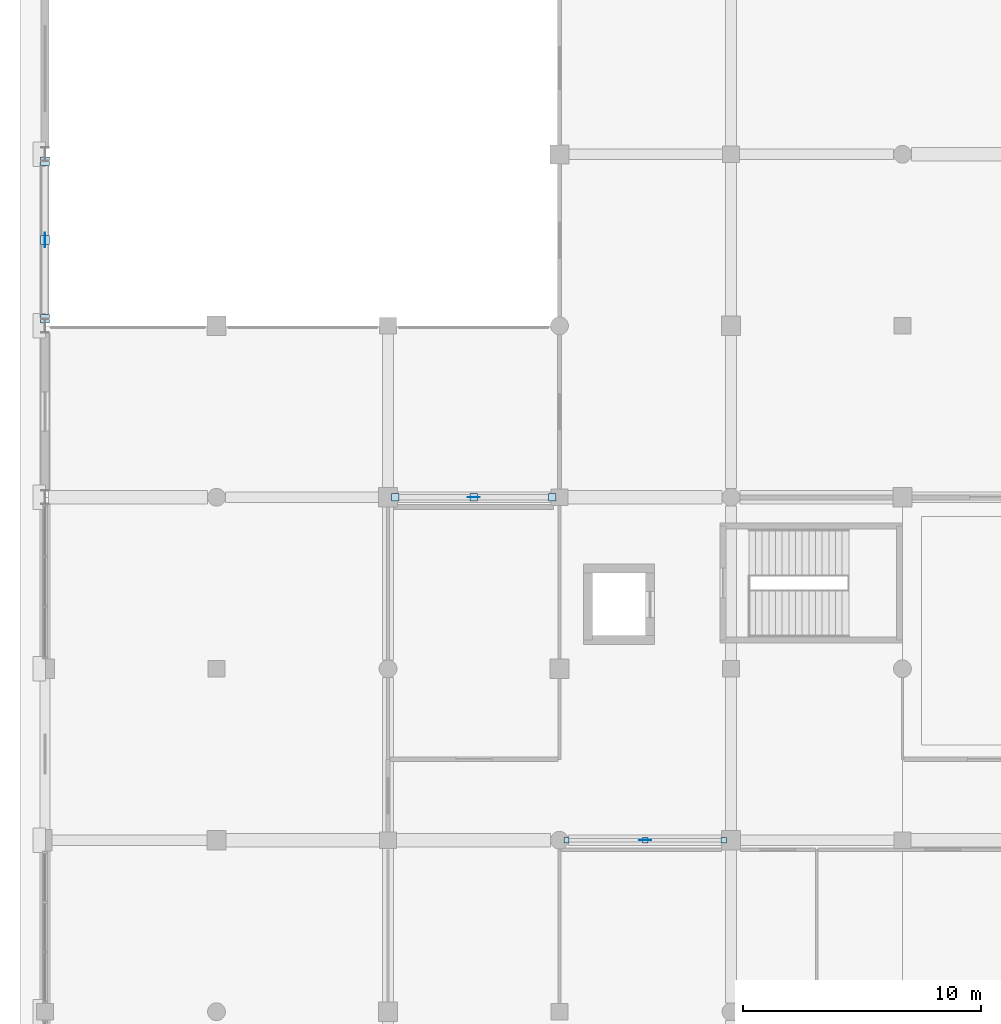
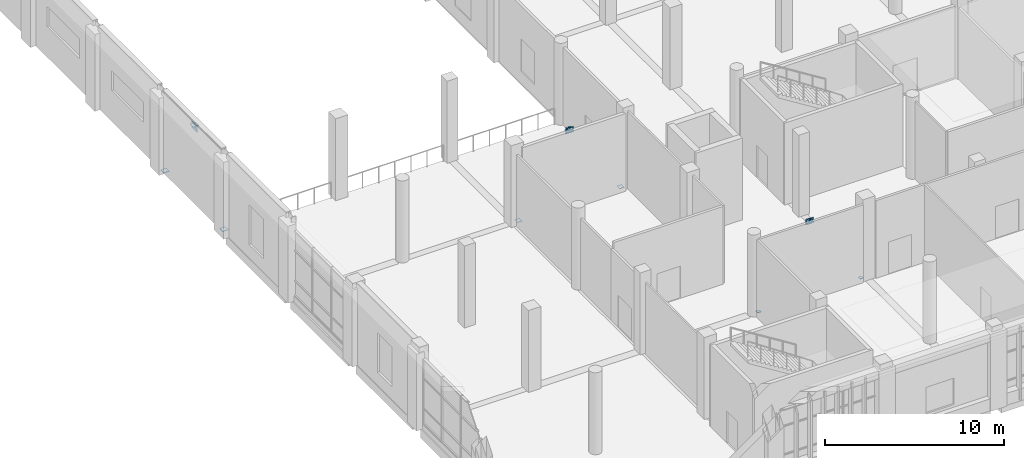
# One storey, part 44 of 80: 12 plates.
"""IFC4 building model written with IfcOpenShell, lengths in metres."""

import ifcopenshell
import ifcopenshell.guid

model = None  # the IFC model being written
_history = None  # IfcOwnerHistory: only IFC2X3 demands one
_inside = {}  # id of a spatial element -> (the spatial element, [elements in it])
_under = {}  # id of a project, library or spatial element -> (it, [spatial elements below it])
_declared = {}  # id of a project -> (the project, [libraries it declares])
_typed = {}  # id of a type object -> (the type object, [elements of that type])
_made_of = {}  # id of a material, layer set ... -> (it, [elements and type objects made of it])


def new_model(schema):
    """Start an empty IFC model of exactly this schema.

    Asked for "IFC4X3", IfcOpenShell would pick the latest addendum, in which some entities
    have other attributes; the version numbers below select the first issue.
    IFC2X3 requires an IfcOwnerHistory on every rooted entity: one is made here for all.
    """
    global model, _history
    if schema == "IFC4X3":
        model = ifcopenshell.file(schema_version=(4, 3, 0, 0))
    else:
        model = ifcopenshell.file(schema=schema)
    _inside.clear()
    _under.clear()
    _declared.clear()
    _typed.clear()
    _made_of.clear()
    _history = None
    if model.schema == "IFC2X3":
        org = make("IfcOrganization", Name="unknown")
        user = make(
            "IfcPersonAndOrganization",
            ThePerson=make("IfcPerson", FamilyName="unknown"),
            TheOrganization=org,
        )
        app = make(
            "IfcApplication",
            ApplicationDeveloper=org,
            Version="unknown",
            ApplicationFullName="unknown",
            ApplicationIdentifier="unknown",
        )
        _history = make(
            "IfcOwnerHistory",
            OwningUser=user,
            OwningApplication=app,
            ChangeAction="ADDED",
            CreationDate=0,
        )
    return model


def make(cls, **values):
    """One entity of the class cls with the attributes given. An attribute that is None is left unset."""
    return model.create_entity(
        cls, **{name: value for name, value in values.items() if value is not None}
    )


def rooted(cls, **values):
    """An entity with a GlobalId (a new one), such as an element, a storey or a relation."""
    return make(cls, GlobalId=ifcopenshell.guid.new(), OwnerHistory=_history, **values)


def si_unit(unit_type, name, prefix=None):
    """IfcSIUnit, for example si_unit("LENGTHUNIT", "METRE", prefix="MILLI")."""
    return make("IfcSIUnit", UnitType=unit_type, Prefix=prefix, Name=name)


def assignment(units):
    """IfcUnitAssignment: the units of a project."""
    return None if units is None else make("IfcUnitAssignment", Units=units)


def point(xyz):
    """IfcCartesianPoint."""
    return None if xyz is None else make("IfcCartesianPoint", Coordinates=xyz)


def direction(xyz):
    """IfcDirection."""
    return None if xyz is None else make("IfcDirection", DirectionRatios=xyz)


def frame(location, z_axis=None, x_axis=None):
    """IfcAxis2Placement3D, a coordinate frame: its origin and axes. An axis left out is left unset."""
    return make(
        "IfcAxis2Placement3D",
        Location=point(location),
        Axis=direction(z_axis),
        RefDirection=direction(x_axis),
    )


def frame_2d(location, x_axis=None):
    """IfcAxis2Placement2D, a coordinate frame in the plane: its origin and x axis."""
    return make(
        "IfcAxis2Placement2D", Location=point(location), RefDirection=direction(x_axis)
    )


def origin():
    """The frame at (0, 0, 0) with its axes left unset."""
    return frame((0.0, 0.0, 0.0))


def origin_2d():
    """The frame at (0, 0) in the plane with its x axis left unset."""
    return frame_2d((0.0, 0.0))


def place(relative_to, where):
    """IfcLocalPlacement: puts the frame where relative to a parent placement (None: the world)."""
    return make(
        "IfcLocalPlacement", PlacementRelTo=relative_to, RelativePlacement=where
    )


def context(
    kind, dimensions, precision=None, world=None, true_north=None, identifier=None
):
    """IfcGeometricRepresentationContext, for example the 3D "Model" context."""
    return make(
        "IfcGeometricRepresentationContext",
        ContextIdentifier=identifier,
        ContextType=kind,
        CoordinateSpaceDimension=dimensions,
        Precision=precision,
        WorldCoordinateSystem=world,
        TrueNorth=true_north,
    )


def subcontext(parent, identifier, kind, view, scale=None):
    """IfcGeometricRepresentationSubContext, for example "Body" below "Model"."""
    return make(
        "IfcGeometricRepresentationSubContext",
        ContextIdentifier=identifier,
        ContextType=kind,
        ParentContext=parent,
        TargetScale=scale,
        TargetView=view,
    )


def project(units=None, contexts=None):
    """IfcProject with its units and contexts."""
    return rooted(
        "IfcProject",
        Name="project",
        RepresentationContexts=contexts,
        UnitsInContext=assignment(units),
    )


def spatial(cls, under=None, at=None, **own):
    """A site, building, storey or space (cls), placed at a placement, below another one or the project."""
    s = rooted(cls, ObjectPlacement=at, **own)
    if under is not None:
        _under.setdefault(under.id(), (under, []))[1].append(s)
    return s


def profile(cls, at=None, kind="AREA", **sizes):
    """A parametric profile (cls). Its sizes go by their IFC names, for example OverallWidth=200.0."""
    return make(cls, ProfileType=kind, Position=at, **sizes)


def rectangle(**sizes):
    """IfcRectangleProfileDef."""
    return profile("IfcRectangleProfileDef", **sizes)


def extrude(swept, where, along, depth):
    """IfcExtrudedAreaSolid: the profile swept, set in the frame where, extruded along a direction by depth."""
    return make(
        "IfcExtrudedAreaSolid",
        SweptArea=swept,
        Position=where,
        ExtrudedDirection=direction(along),
        Depth=depth,
    )


def shape(context_of_items, identifier, shape_type, items):
    """IfcShapeRepresentation: the items that make up one representation, for example the "Body"."""
    return make(
        "IfcShapeRepresentation",
        ContextOfItems=context_of_items,
        RepresentationIdentifier=identifier,
        RepresentationType=shape_type,
        Items=items,
    )


def material(Name=None, Category=None):
    """IfcMaterial."""
    return make("IfcMaterial", Name=Name, Category=Category)


def layer(
    of_material, thickness, ventilated=None, Name=None, Category=None, Priority=None
):
    """IfcMaterialLayer: one layer of a wall or slab, of a material (None: an air gap)."""
    return make(
        "IfcMaterialLayer",
        Material=of_material,
        LayerThickness=thickness,
        IsVentilated=ventilated,
        Name=Name,
        Category=Category,
        Priority=Priority,
    )


def layer_set(layers, Name=None):
    """IfcMaterialLayerSet."""
    return make("IfcMaterialLayerSet", MaterialLayers=layers, LayerSetName=Name)


def made_of(thing, what):
    """Note that an element or type object is made of a material, layer set ...; save() writes the relation."""
    if what is not None:
        _made_of.setdefault(what.id(), (what, []))[1].append(thing)
    return thing


def type_object(cls, material=None, **own):
    """A type object (cls), such as IfcWallType, which elements share."""
    return made_of(rooted(cls, **own), material)


def element(
    cls,
    number,
    at=None,
    inside=None,
    cuts=None,
    type_object=None,
    material=None,
    context=None,
    identifier="Body",
    shape_type=None,
    held_by="IfcProductDefinitionShape",
    body=None,
    shapes=None,
    **own,
):
    """One element of the class cls, such as IfcWall. Its Tag is "e" and its number.

    at: its placement. inside: the storey or other place that contains it. cuts: it is an
    opening in that element (IfcRelVoidsElement). A single representation is given by context,
    identifier, shape_type and body (its items); several are given by shapes. held_by: the class
    of the entity that holds the representations. save() writes the other relations.
    """
    e = rooted(cls, Tag="e%d" % number, ObjectPlacement=at, **own)
    if body is not None:
        shapes = [shape(context, identifier, shape_type, body)]
    if shapes is not None:
        e.Representation = make(held_by, Representations=shapes)
    if inside is not None:
        _inside.setdefault(inside.id(), (inside, []))[1].append(e)
    if cuts is not None:
        rooted(
            "IfcRelVoidsElement", RelatingBuildingElement=cuts, RelatedOpeningElement=e
        )
    if type_object is not None:
        _typed.setdefault(type_object.id(), (type_object, []))[1].append(e)
    return made_of(e, material)


def aggregate(whole, parts):
    """IfcRelAggregates: a whole, such as a stair, and the parts it consists of."""
    return rooted("IfcRelAggregates", RelatingObject=whole, RelatedObjects=parts)


def save(model, path):
    """Write the relations noted so far, then the file.

    IfcRelAggregates (storeys below a building ...), IfcRelContainedInSpatialStructure (elements
    in a storey), IfcRelDefinesByType, IfcRelAssociatesMaterial and IfcRelDeclares: one each for
    every whole, place, type object, material and project.
    """
    for whole, parts in _under.values():
        aggregate(whole, parts)
    for where, things in _inside.values():
        rooted(
            "IfcRelContainedInSpatialStructure",
            RelatedElements=things,
            RelatingStructure=where,
        )
    for kind, things in _typed.values():
        rooted("IfcRelDefinesByType", RelatedObjects=things, RelatingType=kind)
    for what, things in _made_of.values():
        rooted("IfcRelAssociatesMaterial", RelatedObjects=things, RelatingMaterial=what)
    for by, libraries in _declared.values():
        rooted("IfcRelDeclares", RelatingContext=by, RelatedDefinitions=libraries)
    model.write(path)


model = new_model("IFC4")

# Units and contexts
model_context = context("Model", 3, precision=1e-05, world=origin(), true_north=direction((0.0, 1.0)))
body_context = subcontext(model_context, "Body", "Model", "MODEL_VIEW")
ifc_project = project(units=[si_unit("LENGTHUNIT", "METRE"), si_unit("AREAUNIT", "SQUARE_METRE"), si_unit("VOLUMEUNIT", "CUBIC_METRE"), si_unit("PLANEANGLEUNIT", "RADIAN"), si_unit("MASSUNIT", "GRAM", prefix="KILO")], contexts=[model_context])

# Site, building, storey
site_placement = place(None, origin())
site = spatial("IfcSite", under=ifc_project, at=site_placement, CompositionType="ELEMENT")
building_placement = place(site_placement, origin())
building = spatial("IfcBuilding", under=site, at=building_placement, Name="Sardonyx Promenade Sports Hall", CompositionType="ELEMENT")
storey_placement = place(building_placement, frame((0.0, 0.0, 5.60009765625)))
storey = spatial("IfcBuildingStorey", under=building, at=storey_placement, Name="L01", CompositionType="ELEMENT", Elevation=5.60009765625)

# Plates
ifc_material_1 = material(Name="Steel S355JR", Category="steel")
ifc_layer_1 = layer(ifc_material_1, 0.02001953125)
ifc_layer_set_1 = layer_set([ifc_layer_1], Name="Plt_EndCap_EC1")
plate_type_1 = type_object("IfcPlateType", Name="Plt_EndCap_EC1", PredefinedType="USERDEFINED", material=ifc_layer_set_1)
for number, where, z_axis, x_axis, name in (
    (1, (0.0, 36.300048828125, 0.010009765625), (0.0, 0.0, 1.0), (1.0, 0.0, 0.0), "Brace foot end-cap plate EC1 BF1 L01 L1"),
    (2, (0.0, 42.89990234375, 0.010009765625), (0.0, 0.0, 1.0), (1.0, 0.0, 0.0), "Brace foot end-cap plate EC1 BF1 L01 L2"),
    (3, (0.0, 39.60009765625, 5.15478515625), (0.0, 0.0, 1.0), (1.0, 0.0, 0.0), "Brace apex cap plate EC1 BF1 L01"),
):
    element("IfcPlate", number, at=place(storey_placement, frame(where, z_axis=z_axis, x_axis=x_axis)), inside=storey, type_object=plate_type_1, Name=name, ObjectType="END CAP PLATE", PredefinedType="USERDEFINED", context=body_context, shape_type="SweptSolid", body=[
        extrude(rectangle(XDim=0.360107421875, YDim=0.360107421875, at=origin_2d()), origin(), (0.0, 0.0, 1.0), 0.02001953125),
    ])
ifc_material_2 = material(Name="Steel S355JR", Category="steel")
ifc_layer_2 = layer(ifc_material_2, 0.01611328125)
ifc_layer_set_2 = layer_set([ifc_layer_2], Name="Plt_EndCap_EC2")
plate_type_2 = type_object("IfcPlateType", Name="Plt_EndCap_EC2", PredefinedType="USERDEFINED", material=ifc_layer_set_2)
for number, where, z_axis, x_axis, name in (
    (4, (14.699951171875, 28.800048828125, 0.011962890625), (0.0, 0.0, 1.0), (1.0, 0.0, 0.0), "Brace foot end-cap plate EC2 BF5 L01 L1"),
    (5, (21.300048828125, 28.800048828125, 0.011962890625), (0.0, 0.0, 1.0), (1.0, 0.0, 0.0), "Brace foot end-cap plate EC2 BF5 L01 L2"),
    (6, (18.0, 28.800048828125, 5.15673828125), (0.0, 0.0, 1.0), (1.0, 0.0, 0.0), "Brace apex cap plate EC2 BF5 L01"),
):
    element("IfcPlate", number, at=place(storey_placement, frame(where, z_axis=z_axis, x_axis=x_axis)), inside=storey, type_object=plate_type_2, Name=name, ObjectType="END CAP PLATE", PredefinedType="USERDEFINED", context=body_context, shape_type="SweptSolid", body=[
        extrude(rectangle(XDim=0.320068359375, YDim=0.320068359375, at=origin_2d()), origin(), (0.0, 0.0, 1.0), 0.01611328125),
    ])
ifc_material_3 = material(Name="Steel S355JR", Category="steel")
ifc_layer_3 = layer(ifc_material_3, 0.011962890625)
ifc_layer_set_3 = layer_set([ifc_layer_3], Name="Plt_EndCap_EC3")
plate_type_3 = type_object("IfcPlateType", Name="Plt_EndCap_EC3", PredefinedType="USERDEFINED", material=ifc_layer_set_3)
for number, where, z_axis, x_axis, name in (
    (7, (21.89990234375, 14.39990234375, 0.01416015625), (0.0, 0.0, 1.0), (1.0, 0.0, 0.0), "Brace foot end-cap plate EC3 BF7 L01 L1"),
    (8, (28.5, 14.39990234375, 0.01416015625), (0.0, 0.0, 1.0), (1.0, 0.0, 0.0), "Brace foot end-cap plate EC3 BF7 L01 L2"),
    (9, (25.199951171875, 14.39990234375, 5.15869140625), (0.0, 0.0, 1.0), (1.0, 0.0, 0.0), "Brace apex cap plate EC3 BF7 L01"),
):
    element("IfcPlate", number, at=place(storey_placement, frame(where, z_axis=z_axis, x_axis=x_axis)), inside=storey, type_object=plate_type_3, Name=name, ObjectType="END CAP PLATE", PredefinedType="USERDEFINED", context=body_context, shape_type="SweptSolid", body=[
        extrude(rectangle(XDim=0.219970703125, YDim=0.219970703125, at=origin_2d()), origin(), (0.0, 0.0, 1.0), 0.011962890625),
    ])
ifc_material_4 = material(Name="Steel S355JR", Category="steel")
ifc_layer_4 = layer(ifc_material_4, 0.02490234375)
ifc_layer_set_4 = layer_set([ifc_layer_4], Name="Plt_Gusset_KN1")
plate_type_4 = type_object("IfcPlateType", Name="Plt_Gusset_KN1", PredefinedType="USERDEFINED", material=ifc_layer_set_4)
plate_placement = place(storey_placement, frame((0.0, 39.60009765625, 4.8046875), z_axis=(0.0, 0.0, 1.0), x_axis=(0.0, 1.0, 0.0)))
element("IfcPlate", 10, at=plate_placement, inside=storey, type_object=plate_type_4, Name="Braced-frame apex gusset KN1 BF1 L01", ObjectType="GUSSET PLATE", PredefinedType="USERDEFINED", context=body_context, shape_type="SweptSolid", body=[
    extrude(rectangle(XDim=0.60009765625, YDim=0.02490234375, at=origin_2d()), origin(), (0.0, 0.0, 1.0), 0.449951171875),
])
ifc_material_5 = material(Name="Steel S355JR", Category="steel")
ifc_layer_5 = layer(ifc_material_5, 0.02001953125)
ifc_layer_set_5 = layer_set([ifc_layer_5], Name="Plt_Gusset_KN2")
plate_type_5 = type_object("IfcPlateType", Name="Plt_Gusset_KN2", PredefinedType="USERDEFINED", material=ifc_layer_set_5)
for number, where, z_axis, x_axis, name in (
    (11, (18.0, 28.800048828125, 4.83984375), (0.0, 0.0, 1.0), (1.0, 0.0, 0.0), "Braced-frame apex gusset KN2 BF5 L01"),
    (12, (25.199951171875, 14.39990234375, 4.83984375), (0.0, 0.0, 1.0), (1.0, 0.0, 0.0), "Braced-frame apex gusset KN2 BF7 L01"),
):
    element("IfcPlate", number, at=place(storey_placement, frame(where, z_axis=z_axis, x_axis=x_axis)), inside=storey, type_object=plate_type_5, Name=name, ObjectType="GUSSET PLATE", PredefinedType="USERDEFINED", context=body_context, shape_type="SweptSolid", body=[
        extrude(rectangle(XDim=0.5, YDim=0.02001953125, at=origin_2d()), origin(), (0.0, 0.0, 1.0), 0.3798828125),
    ])

save(model, "model.ifc")
